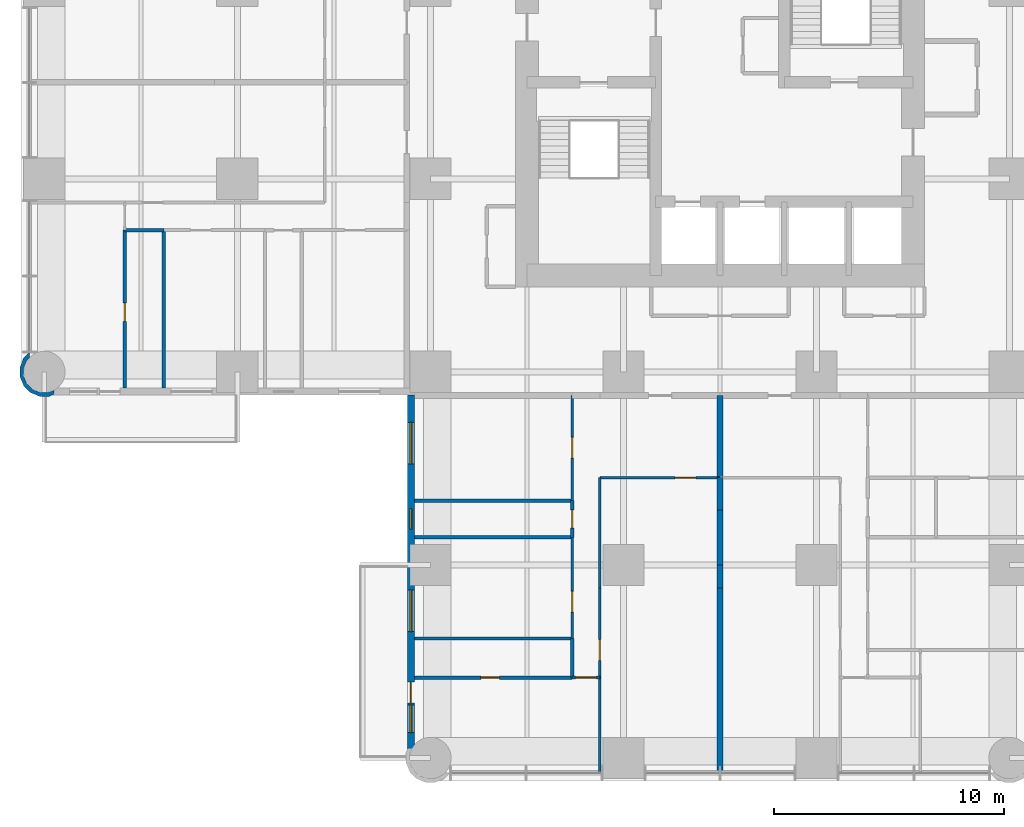
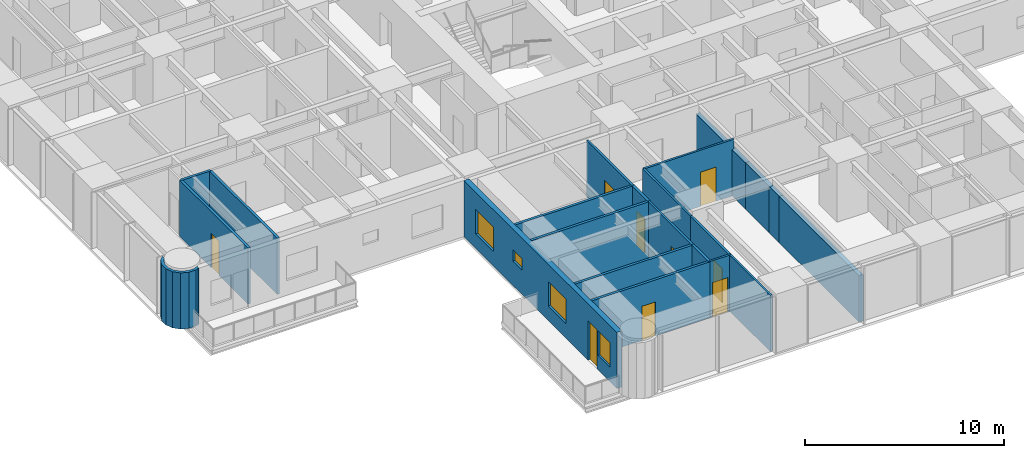
# One storey, part 7 of 17: 23 walls, 9 doors, 4 windows, 13 openings.
"""IFC4 building model written with IfcOpenShell, lengths in metres."""

from ifc_helpers import new_model, si_unit, direction, frame, frame_2d, origin, place, context, subcontext, project, spatial, polyline, rectangle, outline, extrude, material, layer, layer_set, type_object, element, fill, save


model = new_model("IFC4")

# Units and contexts
model_context = context("Model", 3, precision=1e-05, world=origin(), true_north=direction((0.0, 1.0)))
body_context = subcontext(model_context, "Body", "Model", "MODEL_VIEW")
ifc_project = project(units=[si_unit("LENGTHUNIT", "METRE"), si_unit("AREAUNIT", "SQUARE_METRE"), si_unit("VOLUMEUNIT", "CUBIC_METRE"), si_unit("PLANEANGLEUNIT", "RADIAN"), si_unit("MASSUNIT", "GRAM", prefix="KILO")], contexts=[model_context])

# Site, building, storey
site_placement = place(None, origin())
site = spatial("IfcSite", under=ifc_project, at=site_placement, CompositionType="ELEMENT")
building_placement = place(site_placement, origin())
building = spatial("IfcBuilding", under=site, at=building_placement, Name="Torre Alcanfor", CompositionType="ELEMENT")
storey_placement = place(building_placement, frame((0.0, 0.0, 52.5)))
storey = spatial("IfcBuildingStorey", under=building, at=storey_placement, Name="L12", CompositionType="ELEMENT", Elevation=52.5)

# Wall, opening, door
ifc_material_1 = material(Name="Gypsum board on steel studs", Category="steel")
ifc_layer_1 = layer(ifc_material_1, 0.1201171875)
ifc_layer_set_1 = layer_set([ifc_layer_1], Name="Apartment partition 120")
wall_type_1 = type_object("IfcWallType", Name="Apartment partition 120", PredefinedType="PARTITIONING", material=ifc_layer_set_1)
wall_1_placement = place(storey_placement, frame((29.39990234375, 12.199951171875, 0.0), z_axis=(0.0, 0.0, 1.0), x_axis=(-1.0, 0.0, 0.0)))
wall_1 = element("IfcWall", 1, at=wall_1_placement, inside=storey, type_object=wall_type_1, Name="Partition L12-S2-ZAG / L12-S2-KITCHEN", PredefinedType="PARTITIONING", context=body_context, shape_type="SweptSolid", body=[
    extrude(rectangle(XDim=5.22900390625, YDim=0.1201171875, at=frame_2d((2.614501953125, 0.0))), origin(), (0.0, 0.0, 1.0), 3.449951171875),
])
opening_1_placement = place(wall_1_placement, frame((1.050048828125, 0.0, 0.0)))
opening_1 = element("IfcOpeningElement", 2, at=opening_1_placement, cuts=wall_1, Name="Opening D-R1", PredefinedType="OPENING", context=body_context, shape_type="SweptSolid", body=[
    extrude(rectangle(XDim=0.89990234375, YDim=2.10009765625, at=frame_2d((0.449951171875, 1.050048828125))), frame((0.0, 0.070068359375, 0.0), z_axis=(0.0, -1.0, 0.0), x_axis=(1.0, 0.0, 0.0)), (0.0, 0.0, 1.0), 0.14013671875),
])
ifc_material_2 = material(Name="Timber", Category="wood")
door_type_1 = type_object("IfcDoorType", Name="Internal door 900x2100", OperationType="SINGLE_SWING_LEFT", PredefinedType="DOOR", material=ifc_material_2)
door_1_placement = place(opening_1_placement, origin())
door_1 = element("IfcDoor", 3, at=door_1_placement, inside=storey, type_object=door_type_1, Name="Door L12-S2 kitchen", OperationType="SINGLE_SWING_LEFT", OverallHeight=2.10009765625, OverallWidth=0.89990234375, PredefinedType="DOOR", context=body_context, shape_type="SweptSolid", body=[
    extrude(rectangle(XDim=0.89990234375, YDim=2.10009765625, at=frame_2d((0.449951171875, 1.050048828125))), frame((0.0, 0.02490234375, 0.0), z_axis=(0.0, -1.0, 0.0), x_axis=(1.0, 0.0, 0.0)), (0.0, 0.0, 1.0), 0.050048828125),
])
fill(opening_1, door_1)

# Wall
wall_2_placement = place(storey_placement, frame((24.1708984375, 7.39990234375, 0.0), z_axis=(0.0, 0.0, 1.0), x_axis=(0.0, 1.0, 0.0)))
element("IfcWall", 4, at=wall_2_placement, inside=storey, type_object=wall_type_1, Name="Partition L12-S2-KITCHEN / L12-S2-HALL", PredefinedType="PARTITIONING", context=body_context, shape_type="SweptSolid", body=[
    extrude(rectangle(XDim=4.800048828125, YDim=0.1201171875, at=frame_2d((2.39990234375, 0.0))), origin(), (0.0, 0.0, 1.0), 3.449951171875),
])

# Wall, opening, door
wall_3_placement = place(storey_placement, frame((24.1708984375, 3.5, 0.0), z_axis=(0.0, 0.0, 1.0), x_axis=(0.0, 1.0, 0.0)))
wall_3 = element("IfcWall", 5, at=wall_3_placement, inside=storey, type_object=wall_type_1, Name="Partition L12-S2-LIVING / L12-S2-HALL", PredefinedType="PARTITIONING", context=body_context, shape_type="SweptSolid", body=[
    extrude(rectangle(XDim=3.89990234375, YDim=0.1201171875, at=frame_2d((1.949951171875, 0.0))), origin(), (0.0, 0.0, 1.0), 3.449951171875),
])
opening_2_placement = place(wall_3_placement, frame((0.75, 0.0, 0.0)))
opening_2 = element("IfcOpeningElement", 6, at=opening_2_placement, cuts=wall_3, Name="Opening D-R1", PredefinedType="OPENING", context=body_context, shape_type="SweptSolid", body=[
    extrude(rectangle(XDim=0.89990234375, YDim=2.10009765625, at=frame_2d((0.449951171875, 1.050048828125))), frame((0.0, 0.070068359375, 0.0), z_axis=(0.0, -1.0, 0.0), x_axis=(1.0, 0.0, 0.0)), (0.0, 0.0, 1.0), 0.14013671875),
])
door_2_placement = place(opening_2_placement, frame((0.89990234375, 0.0, 0.0), z_axis=(0.0, 0.0, 1.0), x_axis=(-1.0, 0.0, 0.0)))
door_2 = element("IfcDoor", 7, at=door_2_placement, inside=storey, type_object=door_type_1, Name="Door L12-S2 living", OperationType="SINGLE_SWING_LEFT", OverallHeight=2.10009765625, OverallWidth=0.89990234375, PredefinedType="DOOR", context=body_context, shape_type="SweptSolid", body=[
    extrude(rectangle(XDim=0.89990234375, YDim=2.10009765625, at=frame_2d((0.449951171875, 1.050048828125))), frame((0.0, 0.025146484375, 0.0), z_axis=(0.0, -1.0, 0.0), x_axis=(1.0, 0.0, 0.0)), (0.0, 0.0, 1.0), 0.050048828125),
])
fill(opening_2, door_2)

# Wall
wall_4_placement = place(storey_placement, frame((24.1708984375, -0.64990234375, 0.0), z_axis=(0.0, 0.0, 1.0), x_axis=(0.0, 1.0, 0.0)))
element("IfcWall", 8, at=wall_4_placement, inside=storey, type_object=wall_type_1, Name="Partition L12-S2-LIVING / L12-S2-MASTER", PredefinedType="PARTITIONING", context=body_context, shape_type="SweptSolid", body=[
    extrude(rectangle(XDim=4.14990234375, YDim=0.1201171875, at=frame_2d((2.074951171875, 0.0))), origin(), (0.0, 0.0, 1.0), 3.449951171875),
])

# Wall, opening, door
wall_5_placement = place(storey_placement, frame((22.970947265625, 11.199951171875, 0.0), z_axis=(0.0, 0.0, 1.0), x_axis=(0.0, 1.0, 0.0)))
wall_5 = element("IfcWall", 9, at=wall_5_placement, inside=storey, type_object=wall_type_1, Name="Partition L12-S2-HALL / L12-S2-BED3", PredefinedType="PARTITIONING", context=body_context, shape_type="SweptSolid", body=[
    extrude(rectangle(XDim=4.574951171875, YDim=0.1201171875, at=frame_2d((2.28759765625, 0.0))), origin(), (0.0, 0.0, 1.0), 3.449951171875),
])
opening_3_placement = place(wall_5_placement, frame((1.85009765625, 0.0, 0.0)))
opening_3 = element("IfcOpeningElement", 10, at=opening_3_placement, cuts=wall_5, Name="Opening D-R1", PredefinedType="OPENING", context=body_context, shape_type="SweptSolid", body=[
    extrude(rectangle(XDim=0.89990234375, YDim=2.10009765625, at=frame_2d((0.449951171875, 1.050048828125))), frame((0.0, 0.070068359375, 0.0), z_axis=(0.0, -1.0, 0.0), x_axis=(1.0, 0.0, 0.0)), (0.0, 0.0, 1.0), 0.14013671875),
])
door_3_placement = place(opening_3_placement, origin())
door_3 = element("IfcDoor", 11, at=door_3_placement, inside=storey, type_object=door_type_1, Name="Door L12-S2 bed3", OperationType="SINGLE_SWING_RIGHT", OverallHeight=2.10009765625, OverallWidth=0.89990234375, PredefinedType="DOOR", context=body_context, shape_type="SweptSolid", body=[
    extrude(rectangle(XDim=0.89990234375, YDim=2.10009765625, at=frame_2d((0.449951171875, 1.050048828125))), frame((0.0, 0.02490234375, 0.0), z_axis=(0.0, -1.0, 0.0), x_axis=(1.0, 0.0, 0.0)), (0.0, 0.0, 1.0), 0.050048828125),
])
fill(opening_3, door_3)

wall_6_placement = place(storey_placement, frame((22.970947265625, 5.199951171875, 0.0), z_axis=(0.0, 0.0, 1.0), x_axis=(0.0, 1.0, 0.0)))
wall_6 = element("IfcWall", 12, at=wall_6_placement, inside=storey, type_object=wall_type_1, Name="Partition L12-S2-HALL / L12-S2-BED2", PredefinedType="PARTITIONING", context=body_context, shape_type="SweptSolid", body=[
    extrude(rectangle(XDim=4.400146484375, YDim=0.1201171875, at=frame_2d((2.2001953125, 0.0))), origin(), (0.0, 0.0, 1.0), 3.449951171875),
])
opening_4_placement = place(wall_6_placement, frame((1.14990234375, 0.0, 0.0)))
opening_4 = element("IfcOpeningElement", 13, at=opening_4_placement, cuts=wall_6, Name="Opening D-R1", PredefinedType="OPENING", context=body_context, shape_type="SweptSolid", body=[
    extrude(rectangle(XDim=0.89990234375, YDim=2.10009765625, at=frame_2d((0.449951171875, 1.050048828125))), frame((0.0, 0.070068359375, 0.0), z_axis=(0.0, -1.0, 0.0), x_axis=(1.0, 0.0, 0.0)), (0.0, 0.0, 1.0), 0.14013671875),
])
door_4_placement = place(opening_4_placement, origin())
door_4 = element("IfcDoor", 14, at=door_4_placement, inside=storey, type_object=door_type_1, Name="Door L12-S2 bed2", OperationType="SINGLE_SWING_LEFT", OverallHeight=2.10009765625, OverallWidth=0.89990234375, PredefinedType="DOOR", context=body_context, shape_type="SweptSolid", body=[
    extrude(rectangle(XDim=0.89990234375, YDim=2.10009765625, at=frame_2d((0.449951171875, 1.050048828125))), frame((0.0, 0.02490234375, 0.0), z_axis=(0.0, -1.0, 0.0), x_axis=(1.0, 0.0, 0.0)), (0.0, 0.0, 1.0), 0.050048828125),
])
fill(opening_4, door_4)

wall_7_placement = place(storey_placement, frame((24.1708984375, 3.5, 0.0), z_axis=(0.0, 0.0, 1.0), x_axis=(-1.0, 0.0, 0.0)))
wall_7 = element("IfcWall", 15, at=wall_7_placement, inside=storey, type_object=wall_type_1, Name="Partition L12-S2-HALL / L12-S2-MASTER", PredefinedType="PARTITIONING", context=body_context, shape_type="SweptSolid", body=[
    extrude(rectangle(XDim=1.199951171875, YDim=0.1201171875, at=frame_2d((0.60009765625, 0.0))), origin(), (0.0, 0.0, 1.0), 3.449951171875),
])
opening_5_placement = place(wall_7_placement, frame((0.15087890625, 0.0, 0.0)))
opening_5 = element("IfcOpeningElement", 16, at=opening_5_placement, cuts=wall_7, Name="Opening D-R1", PredefinedType="OPENING", context=body_context, shape_type="SweptSolid", body=[
    extrude(rectangle(XDim=0.89990234375, YDim=2.10009765625, at=frame_2d((0.449951171875, 1.050048828125))), frame((0.0, 0.070068359375, 0.0), z_axis=(0.0, -1.0, 0.0), x_axis=(1.0, 0.0, 0.0)), (0.0, 0.0, 1.0), 0.14013671875),
])
door_5_placement = place(opening_5_placement, origin())
door_5 = element("IfcDoor", 17, at=door_5_placement, inside=storey, type_object=door_type_1, Name="Door L12-S2 master", OperationType="SINGLE_SWING_LEFT", OverallHeight=2.10009765625, OverallWidth=0.89990234375, PredefinedType="DOOR", context=body_context, shape_type="SweptSolid", body=[
    extrude(rectangle(XDim=0.89990234375, YDim=2.10009765625, at=frame_2d((0.449951171875, 1.050048828125))), frame((0.0, 0.02490234375, 0.0), z_axis=(0.0, -1.0, 0.0), x_axis=(1.0, 0.0, 0.0)), (0.0, 0.0, 1.0), 0.050048828125),
])
fill(opening_5, door_5)

# Wall, openings, door, windows
ifc_material_3 = material(Name="Limestone cladding", Category="masonry")
ifc_layer_2 = layer(ifc_material_3, 0.0400390625, Name="Facing")
ifc_material_4 = material(Name="Ventilated air cavity")
ifc_layer_3 = layer(ifc_material_4, 0.02001953125, ventilated=True, Name="Ventilated joint")
ifc_material_5 = material(Name="Mineral wool insulation", Category="insulation")
ifc_layer_4 = layer(ifc_material_5, 0.10009765625, Name="Insulation")
ifc_material_6 = material(Name="Concrete f'c 35 MPa", Category="concrete")
ifc_layer_5 = layer(ifc_material_6, 0.139892578125, Name="Backing")
ifc_layer_set_2 = layer_set([ifc_layer_2, ifc_layer_3, ifc_layer_4, ifc_layer_5], Name="External wall stone-clad 300")
wall_type_2 = type_object("IfcWallType", Name="External wall stone-clad 300", PredefinedType="SOLIDWALL", material=ifc_layer_set_2)
wall_8_placement = place(storey_placement, frame((15.949951171875, 15.800048828125, 0.0), z_axis=(0.0, 0.0, 1.0), x_axis=(0.0, -1.0, 0.0)))
wall_8 = element("IfcWall", 18, at=wall_8_placement, inside=storey, type_object=wall_type_2, Name="External wall L12 4", PredefinedType="SOLIDWALL", context=body_context, shape_type="SweptSolid", body=[
    extrude(rectangle(XDim=15.400146484375, YDim=0.300048828125, at=frame_2d((7.7001953125, 0.0))), origin(), (0.0, 0.0, 1.0), 3.449951171875),
])
opening_6_placement = place(wall_8_placement, frame((1.199951171875, 0.0, 0.89990234375)))
opening_6 = element("IfcOpeningElement", 19, at=opening_6_placement, cuts=wall_8, Name="Opening W2", PredefinedType="OPENING", context=body_context, shape_type="SweptSolid", body=[
    extrude(rectangle(XDim=1.800048828125, YDim=1.5, at=frame_2d((0.89990234375, 0.75))), frame((0.0, 0.159912109375, 0.0), z_axis=(0.0, -1.0, 0.0), x_axis=(1.0, 0.0, 0.0)), (0.0, 0.0, 1.0), 0.320068359375),
])
opening_7_placement = place(wall_8_placement, frame((4.949951171875, 0.0, 1.5)))
opening_7 = element("IfcOpeningElement", 20, at=opening_7_placement, cuts=wall_8, Name="Opening W3", PredefinedType="OPENING", context=body_context, shape_type="SweptSolid", body=[
    extrude(rectangle(XDim=0.89990234375, YDim=0.699951171875, at=frame_2d((0.449951171875, 0.35009765625))), frame((0.0, 0.159912109375, 0.0), z_axis=(0.0, -1.0, 0.0), x_axis=(1.0, 0.0, 0.0)), (0.0, 0.0, 1.0), 0.320068359375),
])
opening_8_placement = place(wall_8_placement, frame((8.5, 0.0, 0.89990234375)))
opening_8 = element("IfcOpeningElement", 21, at=opening_8_placement, cuts=wall_8, Name="Opening W2", PredefinedType="OPENING", context=body_context, shape_type="SweptSolid", body=[
    extrude(rectangle(XDim=1.800048828125, YDim=1.5, at=frame_2d((0.89990234375, 0.75))), frame((0.0, 0.159912109375, 0.0), z_axis=(0.0, -1.0, 0.0), x_axis=(1.0, 0.0, 0.0)), (0.0, 0.0, 1.0), 0.320068359375),
])
opening_9_placement = place(wall_8_placement, frame((12.5, 0.0, 0.0)))
opening_9 = element("IfcOpeningElement", 22, at=opening_9_placement, cuts=wall_8, Name="Opening D-B1", PredefinedType="OPENING", context=body_context, shape_type="SweptSolid", body=[
    extrude(rectangle(XDim=0.89990234375, YDim=2.39990234375, at=frame_2d((0.449951171875, 1.199951171875))), frame((0.0, 0.159912109375, 0.0), z_axis=(0.0, -1.0, 0.0), x_axis=(1.0, 0.0, 0.0)), (0.0, 0.0, 1.0), 0.320068359375),
])
opening_10_placement = place(wall_8_placement, frame((13.5, 0.0, 0.89990234375)))
opening_10 = element("IfcOpeningElement", 23, at=opening_10_placement, cuts=wall_8, Name="Opening W4", PredefinedType="OPENING", context=body_context, shape_type="SweptSolid", body=[
    extrude(rectangle(XDim=1.199951171875, YDim=1.5, at=frame_2d((0.60009765625, 0.75))), frame((0.0, 0.159912109375, 0.0), z_axis=(0.0, -1.0, 0.0), x_axis=(1.0, 0.0, 0.0)), (0.0, 0.0, 1.0), 0.320068359375),
])
ifc_material_7 = material(Name="Aluminium and glass", Category="aluminium")
door_type_2 = type_object("IfcDoorType", Name="Balcony door glazed 900x2400", OperationType="SINGLE_SWING_LEFT", PredefinedType="DOOR", material=ifc_material_7)
door_6_placement = place(opening_9_placement, origin())
door_6 = element("IfcDoor", 24, at=door_6_placement, inside=storey, type_object=door_type_2, Name="Balcony door L12-S2", OperationType="SINGLE_SWING_LEFT", OverallHeight=2.39990234375, OverallWidth=0.89990234375, PredefinedType="DOOR", context=body_context, shape_type="SweptSolid", body=[
    extrude(rectangle(XDim=0.89990234375, YDim=2.39990234375, at=frame_2d((0.449951171875, 1.199951171875))), frame((0.0, 0.02490234375, 0.0), z_axis=(0.0, -1.0, 0.0), x_axis=(1.0, 0.0, 0.0)), (0.0, 0.0, 1.0), 0.050048828125),
])
fill(opening_9, door_6)
ifc_material_8 = material(Name="Aluminium frame with clear double glazing", Category="aluminium")
window_type_1 = type_object("IfcWindowType", Name="Window bathroom 900x700", PartitioningType="SINGLE_PANEL", PredefinedType="WINDOW", material=ifc_material_8)
window_1_placement = place(opening_7_placement, origin())
window_1 = element("IfcWindow", 25, at=window_1_placement, inside=storey, type_object=window_type_1, Name="Window W3 L12-S2", OverallHeight=0.699951171875, OverallWidth=0.89990234375, PartitioningType="SINGLE_PANEL", PredefinedType="WINDOW", context=body_context, shape_type="SweptSolid", body=[
    extrude(rectangle(XDim=0.89990234375, YDim=0.699951171875, at=frame_2d((0.449951171875, 0.35009765625))), frame((0.0, 0.030029296875, 0.0), z_axis=(0.0, -1.0, 0.0), x_axis=(1.0, 0.0, 0.0)), (0.0, 0.0, 1.0), 0.06005859375),
])
fill(opening_7, window_1)
ifc_material_9 = material(Name="Aluminium frame with clear double glazing", Category="aluminium")
window_type_2 = type_object("IfcWindowType", Name="Window bedroom 1200x1500", PartitioningType="SINGLE_PANEL", PredefinedType="WINDOW", material=ifc_material_9)
window_2_placement = place(opening_10_placement, origin())
window_2 = element("IfcWindow", 26, at=window_2_placement, inside=storey, type_object=window_type_2, Name="Window W4 L12-S2", OverallHeight=1.5, OverallWidth=1.199951171875, PartitioningType="SINGLE_PANEL", PredefinedType="WINDOW", context=body_context, shape_type="SweptSolid", body=[
    extrude(rectangle(XDim=1.199951171875, YDim=1.5, at=frame_2d((0.60009765625, 0.75))), frame((0.0, 0.030029296875, 0.0), z_axis=(0.0, -1.0, 0.0), x_axis=(1.0, 0.0, 0.0)), (0.0, 0.0, 1.0), 0.06005859375),
])
fill(opening_10, window_2)
ifc_material_10 = material(Name="Aluminium frame with clear double glazing", Category="aluminium")
window_type_3 = type_object("IfcWindowType", Name="Window bedroom 1800x1500", PartitioningType="SINGLE_PANEL", PredefinedType="WINDOW", material=ifc_material_10)
window_3_placement = place(opening_6_placement, origin())
window_3 = element("IfcWindow", 27, at=window_3_placement, inside=storey, type_object=window_type_3, Name="Window W2 L12-S2", OverallHeight=1.5, OverallWidth=1.800048828125, PartitioningType="SINGLE_PANEL", PredefinedType="WINDOW", context=body_context, shape_type="SweptSolid", body=[
    extrude(rectangle(XDim=1.800048828125, YDim=1.5, at=frame_2d((0.89990234375, 0.75))), frame((0.0, 0.030029296875, 0.0), z_axis=(0.0, -1.0, 0.0), x_axis=(1.0, 0.0, 0.0)), (0.0, 0.0, 1.0), 0.06005859375),
])
fill(opening_6, window_3)
window_4_placement = place(opening_8_placement, origin())
window_4 = element("IfcWindow", 28, at=window_4_placement, inside=storey, type_object=window_type_3, Name="Window W2 L12-S2", OverallHeight=1.5, OverallWidth=1.800048828125, PartitioningType="SINGLE_PANEL", PredefinedType="WINDOW", context=body_context, shape_type="SweptSolid", body=[
    extrude(rectangle(XDim=1.800048828125, YDim=1.5, at=frame_2d((0.89990234375, 0.75))), frame((0.0, 0.030029296875, 0.0), z_axis=(0.0, -1.0, 0.0), x_axis=(1.0, 0.0, 0.0)), (0.0, 0.0, 1.0), 0.06005859375),
])
fill(opening_8, window_4)

# Walls
ifc_material_11 = material(Name="Concrete block masonry, hollow blocks NMX-C-404 9 MPa", Category="masonry")
ifc_layer_6 = layer(ifc_material_11, 0.25)
ifc_layer_set_3 = layer_set([ifc_layer_6], Name="Party wall 250 EI 60")
wall_type_3 = type_object("IfcWallType", Name="Party wall 250 EI 60", PredefinedType="PARTITIONING", material=ifc_layer_set_3)
wall_9_placement = place(storey_placement, frame((29.39990234375, 15.77490234375, 0.0), z_axis=(0.0, 0.0, 1.0), x_axis=(0.0, -1.0, 0.0)))
element("IfcWall", 29, at=wall_9_placement, inside=storey, type_object=wall_type_3, Name="Partition L12-S1-ZAG / L12-S2-ZAG", PredefinedType="PARTITIONING", context=body_context, shape_type="SweptSolid", body=[
    extrude(rectangle(XDim=3.574951171875, YDim=0.25, at=frame_2d((1.78759765625, 0.0))), origin(), (0.0, 0.0, 1.0), 2.847900390625),
])
wall_10_placement = place(storey_placement, frame((29.39990234375, 12.199951171875, 0.0), z_axis=(0.0, 0.0, 1.0), x_axis=(0.0, -1.0, 0.0)))
element("IfcWall", 30, at=wall_10_placement, inside=storey, type_object=wall_type_3, Name="Partition L12-S1-LAUND / L12-S2-KITCHEN", PredefinedType="PARTITIONING", context=body_context, shape_type="SweptSolid", body=[
    extrude(rectangle(XDim=1.39990234375, YDim=0.25, at=frame_2d((0.699951171875, 0.0))), origin(), (0.0, 0.0, 1.0), 2.847900390625),
])
wall_11_placement = place(storey_placement, frame((29.39990234375, 10.800048828125, 0.0), z_axis=(0.0, 0.0, 1.0), x_axis=(0.0, -1.0, 0.0)))
element("IfcWall", 31, at=wall_11_placement, inside=storey, type_object=wall_type_3, Name="Partition L12-S1-KITCHEN / L12-S2-KITCHEN", PredefinedType="PARTITIONING", context=body_context, shape_type="SweptSolid", body=[
    extrude(rectangle(XDim=2.400146484375, YDim=0.25, at=frame_2d((1.2001953125, 0.0))), origin(), (0.0, 0.0, 1.0), 2.847900390625),
])
wall_12_placement = place(storey_placement, frame((29.39990234375, 8.39990234375, 0.0), z_axis=(0.0, 0.0, 1.0), x_axis=(0.0, -1.0, 0.0)))
element("IfcWall", 32, at=wall_12_placement, inside=storey, type_object=wall_type_3, Name="Partition L12-S1-LIVING / L12-S2-KITCHEN", PredefinedType="PARTITIONING", context=body_context, shape_type="SweptSolid", body=[
    extrude(rectangle(XDim=1.0, YDim=0.25, at=frame_2d((0.5, 0.0))), origin(), (0.0, 0.0, 1.0), 2.847900390625),
])
wall_13_placement = place(storey_placement, frame((29.39990234375, 7.39990234375, 0.0), z_axis=(0.0, 0.0, 1.0), x_axis=(0.0, -1.0, 0.0)))
element("IfcWall", 33, at=wall_13_placement, inside=storey, type_object=wall_type_3, Name="Partition L12-S1-LIVING / L12-S2-LIVING", PredefinedType="PARTITIONING", context=body_context, shape_type="SweptSolid", body=[
    extrude(rectangle(XDim=8.0498046875, YDim=0.25, at=frame_2d((4.02490234375, 0.0))), origin(), (0.0, 0.0, 1.0), 2.847900390625),
])
ifc_layer_7 = layer(ifc_material_3, 0.0400390625, Name="Facing")
ifc_layer_8 = layer(ifc_material_4, 0.02001953125, ventilated=True, Name="Ventilated joint")
ifc_layer_9 = layer(ifc_material_5, 0.10009765625, Name="Insulation")
ifc_layer_10 = layer(ifc_material_6, 0.139892578125, Name="Backing")
ifc_layer_set_4 = layer_set([ifc_layer_7, ifc_layer_8, ifc_layer_9, ifc_layer_10], Name="Rounded corner pier stone-clad 300")
wall_type_4 = type_object("IfcWallType", Name="Rounded corner pier stone-clad 300", PredefinedType="SOLIDWALL", material=ifc_layer_set_4)
wall_14_placement = place(storey_placement, frame((-0.610519256, 17.56659392, 0.0), z_axis=(0.0, 0.0, 1.0), x_axis=(-0.926129809145, -0.377204953059, 0.0)))
element("IfcWall", 34, at=wall_14_placement, inside=storey, type_object=wall_type_4, Name="Corner pier L12 14", PredefinedType="SOLIDWALL", context=body_context, shape_type="SweptSolid", body=[
    extrude(outline(polyline([(-0.2694320048751383, 2.0171861008885523), (-0.3700526678318482, 1.8406866495551875), (-0.10232913830325796, 1.8423628952563784), (0.22959433821660935, 1.7071732294627), (0.4846648868960458, 1.4551341488862783), (0.6237723089217844, 1.1248457008471362), (0.6256501657648526, 0.7663568996565957), (0.49046049997117414, 0.4344334231367283), (0.2387396163581813, 0.17949688931473468), (0.09014163443691028, 0.11691195088889664), (0.010851237809964043, -0.07776523799639344), (0.024417592436116662, -0.08329070117597158), (0.32956848036437986, 0.045229547111777235), (0.4801338191951393, 0.19743274075920003), (0.4990091877024963, 0.1926447125875501), (0.5075557555746872, 0.2252788612711387), (0.6260018077392729, 0.3452223941390844), (0.7850430562581303, 0.7357073014618439), (0.782472278983801, 1.15721841463542), (0.6187061231885674, 1.5460551039454697), (0.3187132761612602, 1.8424884313203629), (-0.07154552525106339, 2.0014375887862275), (-0.2401131340992967, 2.00049972024067), (-0.2694320048751383, 2.0171861008885523)])), origin(), (0.0, 0.0, 1.0), 3.449951171875),
])

# Wall, opening, door
ifc_material_12 = material(Name="Cement board on steel studs", Category="steel")
ifc_layer_11 = layer(ifc_material_12, 0.14990234375)
ifc_layer_set_5 = layer_set([ifc_layer_11], Name="Wet area partition 150")
wall_type_5 = type_object("IfcWallType", Name="Wet area partition 150", PredefinedType="PARTITIONING", material=ifc_layer_set_5)
wall_15_placement = place(storey_placement, frame((22.970947265625, 9.60009765625, 0.0), z_axis=(0.0, 0.0, 1.0), x_axis=(0.0, 1.0, 0.0)))
wall_15 = element("IfcWall", 35, at=wall_15_placement, inside=storey, type_object=wall_type_5, Name="Partition L12-S2-HALL / L12-S2-BATH1", PredefinedType="PARTITIONING", context=body_context, shape_type="SweptSolid", body=[
    extrude(rectangle(XDim=1.599853515625, YDim=0.14990234375, at=frame_2d((0.7998046875, 0.0))), origin(), (0.0, 0.0, 1.0), 3.449951171875),
])
opening_11_placement = place(wall_15_placement, frame((0.39990234375, 0.0, 0.0)))
opening_11 = element("IfcOpeningElement", 36, at=opening_11_placement, cuts=wall_15, Name="Opening D-R2", PredefinedType="OPENING", context=body_context, shape_type="SweptSolid", body=[
    extrude(rectangle(XDim=0.800048828125, YDim=2.10009765625, at=frame_2d((0.39990234375, 1.050048828125))), frame((0.0, 0.0849609375, 0.0), z_axis=(0.0, -1.0, 0.0), x_axis=(1.0, 0.0, 0.0)), (0.0, 0.0, 1.0), 0.169921875),
])
ifc_material_13 = material(Name="Timber", Category="wood")
door_type_3 = type_object("IfcDoorType", Name="Bathroom door 800x2100", OperationType="SINGLE_SWING_LEFT", PredefinedType="DOOR", material=ifc_material_13)
door_7_placement = place(opening_11_placement, origin())
door_7 = element("IfcDoor", 37, at=door_7_placement, inside=storey, type_object=door_type_3, Name="Door L12-S2 bath1", OperationType="SINGLE_SWING_LEFT", OverallHeight=2.10009765625, OverallWidth=0.800048828125, PredefinedType="DOOR", context=body_context, shape_type="SweptSolid", body=[
    extrude(rectangle(XDim=0.800048828125, YDim=2.10009765625, at=frame_2d((0.39990234375, 1.050048828125))), frame((0.0, 0.02490234375, 0.0), z_axis=(0.0, -1.0, 0.0), x_axis=(1.0, 0.0, 0.0)), (0.0, 0.0, 1.0), 0.050048828125),
])
fill(opening_11, door_7)

# Walls
wall_16_placement = place(storey_placement, frame((22.970947265625, 3.5, 0.0), z_axis=(0.0, 0.0, 1.0), x_axis=(0.0, 1.0, 0.0)))
element("IfcWall", 38, at=wall_16_placement, inside=storey, type_object=wall_type_5, Name="Partition L12-S2-HALL / L12-S2-ENSBATH", PredefinedType="PARTITIONING", context=body_context, shape_type="SweptSolid", body=[
    extrude(rectangle(XDim=1.699951171875, YDim=0.14990234375, at=frame_2d((0.85009765625, 0.0))), origin(), (0.0, 0.0, 1.0), 3.449951171875),
])
for number, where, z_axis, x_axis, name in (
    (39, (22.970947265625, 11.199951171875, 0.0), (0.0, 0.0, 1.0), (-1.0, 0.0, 0.0), "Partition L12-S2-BED3 / L12-S2-BATH1"),
    (40, (22.970947265625, 9.60009765625, 0.0), (0.0, 0.0, 1.0), (-1.0, 0.0, 0.0), "Partition L12-S2-BATH1 / L12-S2-BED2"),
    (41, (22.970947265625, 5.199951171875, 0.0), (0.0, 0.0, 1.0), (-1.0, 0.0, 0.0), "Partition L12-S2-BED2 / L12-S2-ENSBATH"),
):
    element("IfcWall", number, at=place(storey_placement, frame(where, z_axis=z_axis, x_axis=x_axis)), inside=storey, type_object=wall_type_5, Name=name, PredefinedType="PARTITIONING", context=body_context, shape_type="SweptSolid", body=[
        extrude(rectangle(XDim=6.870849609375, YDim=0.14990234375, at=frame_2d((3.435546875, 0.0))), origin(), (0.0, 0.0, 1.0), 3.449951171875),
    ])

# Wall, opening, door
wall_17_placement = place(storey_placement, frame((22.970947265625, 3.5, 0.0), z_axis=(0.0, 0.0, 1.0), x_axis=(-1.0, 0.0, 0.0)))
wall_17 = element("IfcWall", 42, at=wall_17_placement, inside=storey, type_object=wall_type_5, Name="Partition L12-S2-ENSBATH / L12-S2-MASTER", PredefinedType="PARTITIONING", context=body_context, shape_type="SweptSolid", body=[
    extrude(rectangle(XDim=6.870849609375, YDim=0.14990234375, at=frame_2d((3.435546875, 0.0))), origin(), (0.0, 0.0, 1.0), 3.449951171875),
])
opening_12_placement = place(wall_17_placement, frame((3.1708984375, 0.0, 0.0)))
opening_12 = element("IfcOpeningElement", 43, at=opening_12_placement, cuts=wall_17, Name="Opening D-R2", PredefinedType="OPENING", context=body_context, shape_type="SweptSolid", body=[
    extrude(rectangle(XDim=0.800048828125, YDim=2.10009765625, at=frame_2d((0.39990234375, 1.050048828125))), frame((0.0, 0.0849609375, 0.0), z_axis=(0.0, -1.0, 0.0), x_axis=(1.0, 0.0, 0.0)), (0.0, 0.0, 1.0), 0.169921875),
])
door_8_placement = place(opening_12_placement, frame((0.800048828125, 0.0, 0.0), z_axis=(0.0, 0.0, 1.0), x_axis=(-1.0, 0.0, 0.0)))
door_8 = element("IfcDoor", 44, at=door_8_placement, inside=storey, type_object=door_type_3, Name="Door L12-S2 ensbath", OperationType="SINGLE_SWING_LEFT", OverallHeight=2.10009765625, OverallWidth=0.800048828125, PredefinedType="DOOR", context=body_context, shape_type="SweptSolid", body=[
    extrude(rectangle(XDim=0.800048828125, YDim=2.10009765625, at=frame_2d((0.400146484375, 1.050048828125))), frame((0.0, 0.025146484375, 0.0), z_axis=(0.0, -1.0, 0.0), x_axis=(1.0, 0.0, 0.0)), (0.0, 0.0, 1.0), 0.050048828125),
])
fill(opening_12, door_8)

# Walls
wall_18_placement = place(storey_placement, frame((3.5, 22.970947265625, 0.0), z_axis=(0.0, 0.0, 1.0), x_axis=(1.0, 0.0, 0.0)))
element("IfcWall", 45, at=wall_18_placement, inside=storey, type_object=wall_type_5, Name="Partition L12-W1-HALL / L12-W1-ENSBATH", PredefinedType="PARTITIONING", context=body_context, shape_type="SweptSolid", body=[
    extrude(rectangle(XDim=1.699951171875, YDim=0.14990234375, at=frame_2d((0.85009765625, 0.0))), origin(), (0.0, 0.0, 1.0), 3.449951171875),
])
wall_19_placement = place(storey_placement, frame((5.199951171875, 22.970947265625, 0.0), z_axis=(0.0, 0.0, 1.0), x_axis=(0.0, -1.0, 0.0)))
element("IfcWall", 46, at=wall_19_placement, inside=storey, type_object=wall_type_5, Name="Partition L12-W1-BED2 / L12-W1-ENSBATH", PredefinedType="PARTITIONING", context=body_context, shape_type="SweptSolid", body=[
    extrude(rectangle(XDim=6.870849609375, YDim=0.14990234375, at=frame_2d((3.435546875, 0.0))), origin(), (0.0, 0.0, 1.0), 3.449951171875),
])

# Wall, opening, door
wall_20_placement = place(storey_placement, frame((3.5, 22.970947265625, 0.0), z_axis=(0.0, 0.0, 1.0), x_axis=(0.0, -1.0, 0.0)))
wall_20 = element("IfcWall", 47, at=wall_20_placement, inside=storey, type_object=wall_type_5, Name="Partition L12-W1-ENSBATH / L12-W1-MASTER", PredefinedType="PARTITIONING", context=body_context, shape_type="SweptSolid", body=[
    extrude(rectangle(XDim=6.870849609375, YDim=0.14990234375, at=frame_2d((3.435546875, 0.0))), origin(), (0.0, 0.0, 1.0), 3.449951171875),
])
opening_13_placement = place(wall_20_placement, frame((3.1708984375, 0.0, 0.0)))
opening_13 = element("IfcOpeningElement", 48, at=opening_13_placement, cuts=wall_20, Name="Opening D-R2", PredefinedType="OPENING", context=body_context, shape_type="SweptSolid", body=[
    extrude(rectangle(XDim=0.800048828125, YDim=2.10009765625, at=frame_2d((0.39990234375, 1.050048828125))), frame((0.0, 0.0849609375, 0.0), z_axis=(0.0, -1.0, 0.0), x_axis=(1.0, 0.0, 0.0)), (0.0, 0.0, 1.0), 0.169921875),
])
door_9_placement = place(opening_13_placement, origin())
door_9 = element("IfcDoor", 49, at=door_9_placement, inside=storey, type_object=door_type_3, Name="Door L12-W1 ensbath", OperationType="SINGLE_SWING_RIGHT", OverallHeight=2.10009765625, OverallWidth=0.800048828125, PredefinedType="DOOR", context=body_context, shape_type="SweptSolid", body=[
    extrude(rectangle(XDim=0.800048828125, YDim=2.10009765625, at=frame_2d((0.39990234375, 1.050048828125))), frame((0.0, 0.02490234375, 0.0), z_axis=(0.0, -1.0, 0.0), x_axis=(1.0, 0.0, 0.0)), (0.0, 0.0, 1.0), 0.050048828125),
])
fill(opening_13, door_9)

save(model, "model.ifc")
